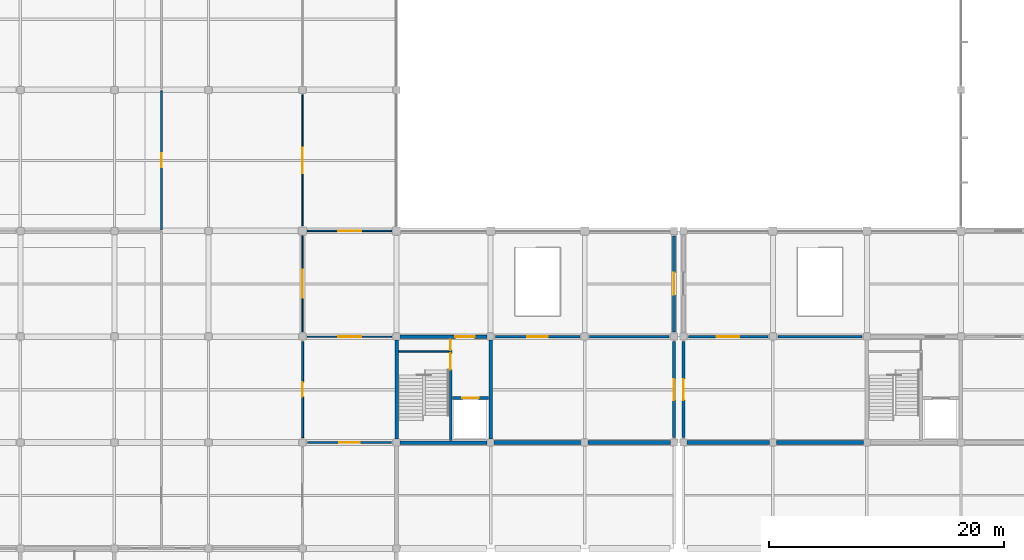
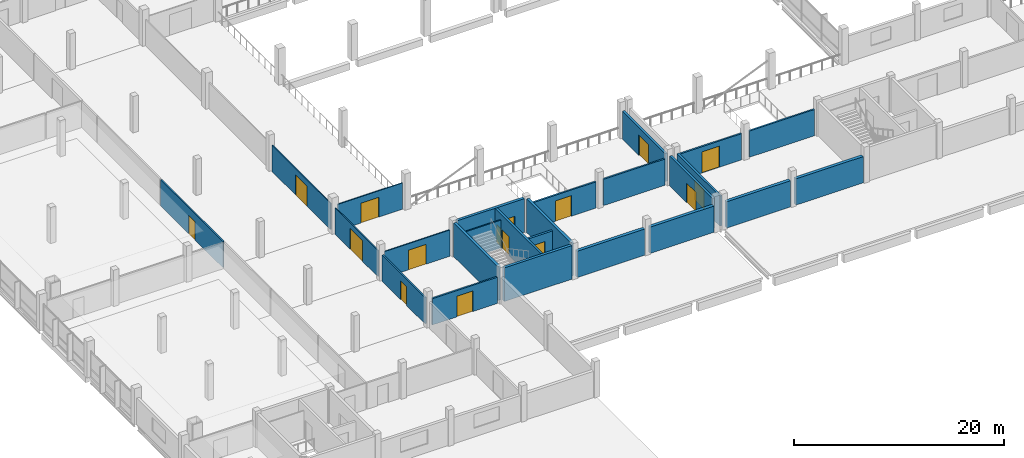
# One storey, part 41 of 57: 25 walls, 16 doors, 16 openings.
"""IFC4 building model written with IfcOpenShell, lengths in metres."""

from ifc_helpers import new_model, si_unit, direction, frame, frame_2d, origin, place, context, subcontext, project, spatial, rectangle, extrude, material, layer, layer_set, type_object, element, fill, save


model = new_model("IFC4")

# Units and contexts
model_context = context("Model", 3, precision=1e-05, world=origin(), true_north=direction((0.0, 1.0)))
body_context = subcontext(model_context, "Body", "Model", "MODEL_VIEW")
ifc_project = project(units=[si_unit("LENGTHUNIT", "METRE"), si_unit("AREAUNIT", "SQUARE_METRE"), si_unit("VOLUMEUNIT", "CUBIC_METRE"), si_unit("PLANEANGLEUNIT", "RADIAN"), si_unit("MASSUNIT", "GRAM", prefix="KILO"), si_unit("THERMODYNAMICTEMPERATUREUNIT", "KELVIN"), si_unit("POWERUNIT", "WATT")], contexts=[model_context])

# Site, building, storey
site_placement = place(None, origin())
site = spatial("IfcSite", under=ifc_project, at=site_placement, CompositionType="ELEMENT")
building_placement = place(site_placement, origin())
building = spatial("IfcBuilding", under=site, at=building_placement, Name="Kronsvod Quay Wholesale Market", CompositionType="ELEMENT")
storey_placement = place(building_placement, frame((0.0, 0.0, 4.800048828125)))
storey = spatial("IfcBuildingStorey", under=building, at=storey_placement, Name="L01", CompositionType="ELEMENT", Elevation=4.800048828125)

# Wall
ifc_material_1 = material(Name="Concrete C35/45", Category="concrete")
ifc_layer_1 = layer(ifc_material_1, 0.300048828125)
ifc_layer_set_1 = layer_set([ifc_layer_1], Name="Concrete C35/45")
wall_type_1 = type_object("IfcWallType", Name="Wall_CoreShear300", PredefinedType="SHEAR", material=ifc_layer_set_1)
wall_1_placement = place(storey_placement, frame((40.294921875, 36.0, 0.0), z_axis=(0.0, 0.0, 1.0), x_axis=(1.0, 0.0, 0.0)))
element("IfcWall", 1, at=wall_1_placement, inside=storey, type_object=wall_type_1, Name="CW-C03-L01-S", PredefinedType="SHEAR", context=body_context, shape_type="SweptSolid", body=[
    extrude(rectangle(XDim=7.41015625, YDim=0.300048828125, at=frame_2d((3.705078125, 0.0))), origin(), (0.0, 0.0, 1.0), 3.905029296875),
])

# Wall, opening, door
wall_2_placement = place(storey_placement, frame((40.294921875, 45.0, 0.0), z_axis=(0.0, 0.0, 1.0), x_axis=(1.0, 0.0, 0.0)))
wall_2 = element("IfcWall", 2, at=wall_2_placement, inside=storey, type_object=wall_type_1, Name="CW-C03-L01-N", PredefinedType="SHEAR", context=body_context, shape_type="SweptSolid", body=[
    extrude(rectangle(XDim=7.41015625, YDim=0.300048828125, at=frame_2d((3.705078125, 0.0))), origin(), (0.0, 0.0, 1.0), 3.905029296875),
])
opening_1_placement = place(wall_2_placement, frame((4.699951171875, 0.0, 0.0)))
opening_1 = element("IfcOpeningElement", 3, at=opening_1_placement, cuts=wall_2, Name="Opening D-0027", PredefinedType="OPENING", context=body_context, shape_type="SweptSolid", body=[
    extrude(rectangle(XDim=1.64990234375, YDim=2.219970703125, at=frame_2d((0.824951171875, 1.10986328125))), frame((0.0, 0.16015625, 0.0), z_axis=(0.0, -1.0, 0.0), x_axis=(1.0, 0.0, 0.0)), (0.0, 0.0, 1.0), 0.320068359375),
])
ifc_material_2 = material(Name="Painted galvanized fire steel", Category="steel")
door_type_1 = type_object("IfcDoorType", Name="Door_FireLobby165x222", OperationType="DOUBLE_DOOR_SINGLE_SWING", PredefinedType="DOOR", material=ifc_material_2)
door_1_placement = place(opening_1_placement, origin())
door_1 = element("IfcDoor", 4, at=door_1_placement, inside=storey, type_object=door_type_1, Name="Core Lobby Door D-0027", OperationType="DOUBLE_DOOR_SINGLE_SWING", OverallHeight=2.219970703125, OverallWidth=1.64990234375, PredefinedType="DOOR", context=body_context, shape_type="SweptSolid", body=[
    extrude(rectangle(XDim=1.64990234375, YDim=2.219970703125, at=frame_2d((0.824951171875, 1.10986328125))), frame((0.0, 0.02490234375, 0.0), z_axis=(0.0, -1.0, 0.0), x_axis=(1.0, 0.0, 0.0)), (0.0, 0.0, 1.0), 0.050048828125),
])
fill(opening_1, door_1)

# Walls
for number, where, z_axis, x_axis, name in (
    (5, (40.0, 36.294921875, 0.0), (0.0, 0.0, 1.0), (0.0, 1.0, 0.0), "CW-C03-L01-W"),
    (6, (48.0, 36.294921875, 0.0), (0.0, 0.0, 1.0), (0.0, 1.0, 0.0), "CW-C03-L01-E"),
):
    element("IfcWall", number, at=place(storey_placement, frame(where, z_axis=z_axis, x_axis=x_axis)), inside=storey, type_object=wall_type_1, Name=name, PredefinedType="SHEAR", context=body_context, shape_type="SweptSolid", body=[
        extrude(rectangle(XDim=8.41015625, YDim=0.300048828125, at=frame_2d((4.205078125, 0.0))), origin(), (0.0, 0.0, 1.0), 3.905029296875),
    ])
ifc_material_3 = material(Name="Precast concrete C40/50", Category="concrete")
ifc_layer_2 = layer(ifc_material_3, 0.340087890625)
ifc_layer_set_2 = layer_set([ifc_layer_2], Name="Precast concrete C40/50")
wall_type_2 = type_object("IfcWallType", Name="Wall_ExtColdSandwich340", PredefinedType="SOLIDWALL", material=ifc_layer_set_2)
wall_3_placement = place(storey_placement, frame((48.294921875, 36.0, 0.0), z_axis=(0.0, 0.0, 1.0), x_axis=(1.0, 0.0, 0.0)))
element("IfcWall", 7, at=wall_3_placement, inside=storey, type_object=wall_type_2, Name="EW-X-L01-0103", PredefinedType="SOLIDWALL", context=body_context, shape_type="SweptSolid", body=[
    extrude(rectangle(XDim=7.41015625, YDim=0.340087890625, at=frame_2d((3.705078125, 0.0))), origin(), (0.0, 0.0, 1.0), 3.050048828125),
])
for number, where, z_axis, x_axis, name in (
    (8, (56.294921875, 36.0, 0.0), (0.0, 0.0, 1.0), (1.0, 0.0, 0.0), "EW-X-L01-0104"),
    (9, (64.695068359375, 36.0, 0.0), (0.0, 0.0, 1.0), (1.0, 0.0, 0.0), "EW-X-L01-0116"),
):
    element("IfcWall", number, at=place(storey_placement, frame(where, z_axis=z_axis, x_axis=x_axis)), inside=storey, type_object=wall_type_2, Name=name, PredefinedType="SOLIDWALL", context=body_context, shape_type="SweptSolid", body=[
        extrude(rectangle(XDim=7.010009765625, YDim=0.340087890625, at=frame_2d((3.5048828125, 0.0))), origin(), (0.0, 0.0, 1.0), 3.050048828125),
    ])
wall_4_placement = place(storey_placement, frame((72.294921875, 36.0, 0.0), z_axis=(0.0, 0.0, 1.0), x_axis=(1.0, 0.0, 0.0)))
element("IfcWall", 10, at=wall_4_placement, inside=storey, type_object=wall_type_2, Name="EW-X-L01-0117", PredefinedType="SOLIDWALL", context=body_context, shape_type="SweptSolid", body=[
    extrude(rectangle(XDim=7.41015625, YDim=0.340087890625, at=frame_2d((3.705078125, 0.0))), origin(), (0.0, 0.0, 1.0), 3.050048828125),
])

# Wall, opening, door
ifc_material_4 = material(Name="Precast concrete C40/50", Category="concrete")
ifc_layer_3 = layer(ifc_material_4, 0.239990234375)
ifc_layer_set_3 = layer_set([ifc_layer_3], Name="Precast concrete C40/50")
wall_type_3 = type_object("IfcWallType", Name="Wall_ExtSpandrel240", PredefinedType="SOLIDWALL", material=ifc_layer_set_3)
wall_5_placement = place(storey_placement, frame((63.60009765625, 36.419921875, 0.0), z_axis=(0.0, 0.0, 1.0), x_axis=(0.0, 1.0, 0.0)))
wall_5 = element("IfcWall", 11, at=wall_5_placement, inside=storey, type_object=wall_type_3, Name="MJWG-L01-636-360", PredefinedType="SOLIDWALL", context=body_context, shape_type="SweptSolid", body=[
    extrude(rectangle(XDim=8.16015625, YDim=0.239990234375, at=frame_2d((4.080078125, 0.0))), origin(), (0.0, 0.0, 1.0), 3.489990234375),
])
opening_2_placement = place(wall_5_placement, frame((3.179931640625, 0.0, 0.0)))
opening_2 = element("IfcOpeningElement", 12, at=opening_2_placement, cuts=wall_5, Name="Opening D-0350", PredefinedType="OPENING", context=body_context, shape_type="SweptSolid", body=[
    extrude(rectangle(XDim=1.800048828125, YDim=2.300048828125, at=frame_2d((0.89990234375, 1.14990234375))), frame((0.0, 0.1298828125, 0.0), z_axis=(0.0, -1.0, 0.0), x_axis=(1.0, 0.0, 0.0)), (0.0, 0.0, 1.0), 0.260009765625),
])
ifc_material_5 = material(Name="Painted galvanized fire steel", Category="steel")
door_type_2 = type_object("IfcDoorType", Name="Door_FireComp180x230", OperationType="DOUBLE_DOOR_SINGLE_SWING", PredefinedType="DOOR", material=ifc_material_5)
door_2_placement = place(opening_2_placement, origin())
door_2 = element("IfcDoor", 13, at=door_2_placement, inside=storey, type_object=door_type_2, Name="Fire Compartment Door D-0350", OperationType="DOUBLE_DOOR_SINGLE_SWING", OverallHeight=2.300048828125, OverallWidth=1.800048828125, PredefinedType="DOOR", context=body_context, shape_type="SweptSolid", body=[
    extrude(rectangle(XDim=1.800048828125, YDim=2.300048828125, at=frame_2d((0.89990234375, 1.14990234375))), frame((0.0, 0.02490234375, 0.0), z_axis=(0.0, -1.0, 0.0), x_axis=(1.0, 0.0, 0.0)), (0.0, 0.0, 1.0), 0.050048828125),
])
fill(opening_2, door_2)

wall_6_placement = place(storey_placement, frame((63.60009765625, 45.419921875, 0.0), z_axis=(0.0, 0.0, 1.0), x_axis=(0.0, 1.0, 0.0)))
wall_6 = element("IfcWall", 14, at=wall_6_placement, inside=storey, type_object=wall_type_3, Name="MJWG-L01-636-450", PredefinedType="SOLIDWALL", context=body_context, shape_type="SweptSolid", body=[
    extrude(rectangle(XDim=8.16015625, YDim=0.239990234375, at=frame_2d((4.080078125, 0.0))), origin(), (0.0, 0.0, 1.0), 3.239990234375),
])
opening_3_placement = place(wall_6_placement, frame((3.1298828125, 0.0, 0.0)))
opening_3 = element("IfcOpeningElement", 15, at=opening_3_placement, cuts=wall_6, Name="Opening D-0351", PredefinedType="OPENING", context=body_context, shape_type="SweptSolid", body=[
    extrude(rectangle(XDim=1.89990234375, YDim=2.35009765625, at=frame_2d((0.949951171875, 1.175048828125))), frame((0.0, 0.1298828125, 0.0), z_axis=(0.0, -1.0, 0.0), x_axis=(1.0, 0.0, 0.0)), (0.0, 0.0, 1.0), 0.260009765625),
])
ifc_material_6 = material(Name="Painted galvanized fire steel", Category="steel")
door_type_3 = type_object("IfcDoorType", Name="Door_FireComp190x235", OperationType="DOUBLE_DOOR_SINGLE_SWING", PredefinedType="DOOR", material=ifc_material_6)
door_3_placement = place(opening_3_placement, origin())
door_3 = element("IfcDoor", 16, at=door_3_placement, inside=storey, type_object=door_type_3, Name="Fire Compartment Door D-0351", OperationType="DOUBLE_DOOR_SINGLE_SWING", OverallHeight=2.35009765625, OverallWidth=1.89990234375, PredefinedType="DOOR", context=body_context, shape_type="SweptSolid", body=[
    extrude(rectangle(XDim=1.89990234375, YDim=2.35009765625, at=frame_2d((0.949951171875, 1.175048828125))), frame((0.0, 0.02490234375, 0.0), z_axis=(0.0, -1.0, 0.0), x_axis=(1.0, 0.0, 0.0)), (0.0, 0.0, 1.0), 0.050048828125),
])
fill(opening_3, door_3)

wall_7_placement = place(storey_placement, frame((64.39990234375, 36.419921875, 0.0), z_axis=(0.0, 0.0, 1.0), x_axis=(0.0, 1.0, 0.0)))
wall_7 = element("IfcWall", 17, at=wall_7_placement, inside=storey, type_object=wall_type_3, Name="MJWG-L01-644-360", PredefinedType="SOLIDWALL", context=body_context, shape_type="SweptSolid", body=[
    extrude(rectangle(XDim=8.16015625, YDim=0.239990234375, at=frame_2d((4.080078125, 0.0))), origin(), (0.0, 0.0, 1.0), 3.489990234375),
])
opening_4_placement = place(wall_7_placement, frame((3.179931640625, 0.0, 0.0)))
opening_4 = element("IfcOpeningElement", 18, at=opening_4_placement, cuts=wall_7, Name="Opening D-0356", PredefinedType="OPENING", context=body_context, shape_type="SweptSolid", body=[
    extrude(rectangle(XDim=1.800048828125, YDim=2.300048828125, at=frame_2d((0.89990234375, 1.14990234375))), frame((0.0, 0.1298828125, 0.0), z_axis=(0.0, -1.0, 0.0), x_axis=(1.0, 0.0, 0.0)), (0.0, 0.0, 1.0), 0.260009765625),
])
door_4_placement = place(opening_4_placement, origin())
door_4 = element("IfcDoor", 19, at=door_4_placement, inside=storey, type_object=door_type_2, Name="Fire Compartment Door D-0356", OperationType="DOUBLE_DOOR_SINGLE_SWING", OverallHeight=2.300048828125, OverallWidth=1.800048828125, PredefinedType="DOOR", context=body_context, shape_type="SweptSolid", body=[
    extrude(rectangle(XDim=1.800048828125, YDim=2.300048828125, at=frame_2d((0.89990234375, 1.14990234375))), frame((0.0, 0.02490234375, 0.0), z_axis=(0.0, -1.0, 0.0), x_axis=(1.0, 0.0, 0.0)), (0.0, 0.0, 1.0), 0.050048828125),
])
fill(opening_4, door_4)

ifc_material_7 = material(Name="Double-layer fire gypsum partition", Category="gypsum")
ifc_layer_4 = layer(ifc_material_7, 0.16796875)
ifc_layer_set_4 = layer_set([ifc_layer_4], Name="Double-layer fire gypsum partition")
wall_type_4 = type_object("IfcWallType", Name="Wall_PartCorridor168", PredefinedType="PARTITIONING", material=ifc_layer_set_4)
wall_8_placement = place(storey_placement, frame((32.0, 36.419921875, 0.0), z_axis=(0.0, 0.0, 1.0), x_axis=(0.0, 1.0, 0.0)))
wall_8 = element("IfcWall", 20, at=wall_8_placement, inside=storey, type_object=wall_type_4, Name="PW-L01-0025", PredefinedType="PARTITIONING", context=body_context, shape_type="SweptSolid", body=[
    extrude(rectangle(XDim=8.16015625, YDim=0.16796875, at=frame_2d((4.080078125, 0.0))), origin(), (0.0, 0.0, 1.0), 3.050048828125),
])
opening_5_placement = place(wall_8_placement, frame((3.469970703125, 0.0, 0.0)))
opening_5 = element("IfcOpeningElement", 21, at=opening_5_placement, cuts=wall_8, Name="Opening D-0225", PredefinedType="OPENING", context=body_context, shape_type="SweptSolid", body=[
    extrude(rectangle(XDim=1.219970703125, YDim=2.179931640625, at=frame_2d((0.60986328125, 1.08984375))), frame((0.0, 0.093994140625, 0.0), z_axis=(0.0, -1.0, 0.0), x_axis=(1.0, 0.0, 0.0)), (0.0, 0.0, 1.0), 0.18798828125),
])
ifc_material_8 = material(Name="Solid-core timber office door", Category="wood")
door_type_4 = type_object("IfcDoorType", Name="Door_Office122x218", OperationType="NOTDEFINED", PredefinedType="DOOR", material=ifc_material_8)
door_5_placement = place(opening_5_placement, origin())
door_5 = element("IfcDoor", 22, at=door_5_placement, inside=storey, type_object=door_type_4, Name="Interior Door D-0225", OperationType="SINGLE_SWING_LEFT", OverallHeight=2.179931640625, OverallWidth=1.219970703125, PredefinedType="DOOR", context=body_context, shape_type="SweptSolid", body=[
    extrude(rectangle(XDim=1.219970703125, YDim=2.179931640625, at=frame_2d((0.60986328125, 1.08984375))), frame((0.0, 0.02490234375, 0.0), z_axis=(0.0, -1.0, 0.0), x_axis=(1.0, 0.0, 0.0)), (0.0, 0.0, 1.0), 0.050048828125),
])
fill(opening_5, door_5)

ifc_material_9 = material(Name="Double-glazed gallery screen partition", Category="glass")
ifc_layer_5 = layer(ifc_material_9, 0.10791015625)
ifc_layer_set_5 = layer_set([ifc_layer_5], Name="Double-glazed gallery screen partition")
wall_type_5 = type_object("IfcWallType", Name="Wall_PartGlazed108", PredefinedType="PARTITIONING", material=ifc_layer_set_5)
wall_9_placement = place(storey_placement, frame((32.0, 54.419921875, 0.0), z_axis=(0.0, 0.0, 1.0), x_axis=(0.0, 1.0, 0.0)))
wall_9 = element("IfcWall", 23, at=wall_9_placement, inside=storey, type_object=wall_type_5, Name="PW-L01-0027", PredefinedType="PARTITIONING", context=body_context, shape_type="SweptSolid", body=[
    extrude(rectangle(XDim=11.16015625, YDim=0.10791015625, at=frame_2d((5.580078125, 0.0))), origin(), (0.0, 0.0, 1.0), 3.050048828125),
])
opening_6_placement = place(wall_9_placement, frame((4.5048828125, 0.0, 0.0)))
opening_6 = element("IfcOpeningElement", 24, at=opening_6_placement, cuts=wall_9, Name="Opening D-0227", PredefinedType="OPENING", context=body_context, shape_type="SweptSolid", body=[
    extrude(rectangle(XDim=2.14990234375, YDim=2.35009765625, at=frame_2d((1.074951171875, 1.175048828125))), frame((0.0, 0.06396484375, 0.0), z_axis=(0.0, -1.0, 0.0), x_axis=(1.0, 0.0, 0.0)), (0.0, 0.0, 1.0), 0.1279296875),
])
ifc_material_10 = material(Name="Glazed aluminium hall portal", Category="aluminium")
door_type_5 = type_object("IfcDoorType", Name="Door_HallPortal215x235", OperationType="DOUBLE_DOOR_SINGLE_SWING", PredefinedType="DOOR", material=ifc_material_10)
door_6_placement = place(opening_6_placement, origin())
door_6 = element("IfcDoor", 25, at=door_6_placement, inside=storey, type_object=door_type_5, Name="Interior Door D-0227", OperationType="DOUBLE_DOOR_SINGLE_SWING", OverallHeight=2.35009765625, OverallWidth=2.14990234375, PredefinedType="DOOR", context=body_context, shape_type="SweptSolid", body=[
    extrude(rectangle(XDim=2.14990234375, YDim=2.35009765625, at=frame_2d((1.074951171875, 1.175048828125))), frame((0.0, 0.02490234375, 0.0), z_axis=(0.0, -1.0, 0.0), x_axis=(1.0, 0.0, 0.0)), (0.0, 0.0, 1.0), 0.050048828125),
])
fill(opening_6, door_6)

ifc_material_11 = material(Name="Framed acoustic glass hall partition", Category="glass")
ifc_layer_6 = layer(ifc_material_11, 0.114990234375)
ifc_layer_set_6 = layer_set([ifc_layer_6], Name="Framed acoustic glass hall partition")
wall_type_6 = type_object("IfcWallType", Name="Wall_PartGlazed115", PredefinedType="PARTITIONING", material=ifc_layer_set_6)
wall_10_placement = place(storey_placement, frame((32.0, 45.419921875, 0.0), z_axis=(0.0, 0.0, 1.0), x_axis=(0.0, 1.0, 0.0)))
wall_10 = element("IfcWall", 26, at=wall_10_placement, inside=storey, type_object=wall_type_6, Name="PW-L01-0026", PredefinedType="PARTITIONING", context=body_context, shape_type="SweptSolid", body=[
    extrude(rectangle(XDim=8.16015625, YDim=0.114990234375, at=frame_2d((4.080078125, 0.0))), origin(), (0.0, 0.0, 1.0), 3.050048828125),
])
opening_7_placement = place(wall_10_placement, frame((2.8798828125, 0.0, 0.0)))
opening_7 = element("IfcOpeningElement", 27, at=opening_7_placement, cuts=wall_10, Name="Opening D-0226", PredefinedType="OPENING", context=body_context, shape_type="SweptSolid", body=[
    extrude(rectangle(XDim=2.39990234375, YDim=2.39990234375, at=frame_2d((1.199951171875, 1.199951171875))), frame((0.0, 0.0673828125, 0.0), z_axis=(0.0, -1.0, 0.0), x_axis=(1.0, 0.0, 0.0)), (0.0, 0.0, 1.0), 0.135009765625),
])
ifc_material_12 = material(Name="Glazed aluminium hall portal", Category="aluminium")
door_type_6 = type_object("IfcDoorType", Name="Door_HallPortal240x240", OperationType="DOUBLE_DOOR_SINGLE_SWING", PredefinedType="DOOR", material=ifc_material_12)
door_7_placement = place(opening_7_placement, origin())
door_7 = element("IfcDoor", 28, at=door_7_placement, inside=storey, type_object=door_type_6, Name="Interior Door D-0226", OperationType="DOUBLE_DOOR_SINGLE_SWING", OverallHeight=2.39990234375, OverallWidth=2.39990234375, PredefinedType="DOOR", context=body_context, shape_type="SweptSolid", body=[
    extrude(rectangle(XDim=2.39990234375, YDim=2.39990234375, at=frame_2d((1.199951171875, 1.199951171875))), frame((0.0, 0.02490234375, 0.0), z_axis=(0.0, -1.0, 0.0), x_axis=(1.0, 0.0, 0.0)), (0.0, 0.0, 1.0), 0.050048828125),
])
fill(opening_7, door_7)

wall_11_placement = place(storey_placement, frame((32.419921875, 45.0, 0.0), z_axis=(0.0, 0.0, 1.0), x_axis=(1.0, 0.0, 0.0)))
wall_11 = element("IfcWall", 29, at=wall_11_placement, inside=storey, type_object=wall_type_6, Name="PW-L01-0034", PredefinedType="PARTITIONING", context=body_context, shape_type="SweptSolid", body=[
    extrude(rectangle(XDim=7.16015625, YDim=0.114990234375, at=frame_2d((3.580078125, 0.0))), origin(), (0.0, 0.0, 1.0), 3.050048828125),
])
opening_8_placement = place(wall_11_placement, frame((2.60498046875, 0.0, 0.0)))
opening_8 = element("IfcOpeningElement", 30, at=opening_8_placement, cuts=wall_11, Name="Opening D-0231", PredefinedType="OPENING", context=body_context, shape_type="SweptSolid", body=[
    extrude(rectangle(XDim=1.949951171875, YDim=2.300048828125, at=frame_2d((0.97509765625, 1.14990234375))), frame((0.0, 0.0673828125, 0.0), z_axis=(0.0, -1.0, 0.0), x_axis=(1.0, 0.0, 0.0)), (0.0, 0.0, 1.0), 0.135009765625),
])
ifc_material_13 = material(Name="Glazed aluminium hall portal", Category="aluminium")
door_type_7 = type_object("IfcDoorType", Name="Door_HallPortal195x230", OperationType="DOUBLE_DOOR_SINGLE_SWING", PredefinedType="DOOR", material=ifc_material_13)
door_8_placement = place(opening_8_placement, origin())
door_8 = element("IfcDoor", 31, at=door_8_placement, inside=storey, type_object=door_type_7, Name="Interior Door D-0231", OperationType="DOUBLE_DOOR_SINGLE_SWING", OverallHeight=2.300048828125, OverallWidth=1.949951171875, PredefinedType="DOOR", context=body_context, shape_type="SweptSolid", body=[
    extrude(rectangle(XDim=1.949951171875, YDim=2.300048828125, at=frame_2d((0.97509765625, 1.14990234375))), frame((0.0, 0.02490234375, 0.0), z_axis=(0.0, -1.0, 0.0), x_axis=(1.0, 0.0, 0.0)), (0.0, 0.0, 1.0), 0.050048828125),
])
fill(opening_8, door_8)

wall_12_placement = place(storey_placement, frame((32.419921875, 54.0, 0.0), z_axis=(0.0, 0.0, 1.0), x_axis=(1.0, 0.0, 0.0)))
wall_12 = element("IfcWall", 32, at=wall_12_placement, inside=storey, type_object=wall_type_6, Name="PW-L01-0058", PredefinedType="PARTITIONING", context=body_context, shape_type="SweptSolid", body=[
    extrude(rectangle(XDim=7.16015625, YDim=0.114990234375, at=frame_2d((3.580078125, 0.0))), origin(), (0.0, 0.0, 1.0), 3.050048828125),
])
opening_9_placement = place(wall_12_placement, frame((2.60498046875, 0.0, 0.0)))
opening_9 = element("IfcOpeningElement", 33, at=opening_9_placement, cuts=wall_12, Name="Opening D-0243", PredefinedType="OPENING", context=body_context, shape_type="SweptSolid", body=[
    extrude(rectangle(XDim=1.949951171875, YDim=2.300048828125, at=frame_2d((0.97509765625, 1.14990234375))), frame((0.0, 0.0673828125, 0.0), z_axis=(0.0, -1.0, 0.0), x_axis=(1.0, 0.0, 0.0)), (0.0, 0.0, 1.0), 0.135009765625),
])
door_9_placement = place(opening_9_placement, origin())
door_9 = element("IfcDoor", 34, at=door_9_placement, inside=storey, type_object=door_type_7, Name="Interior Door D-0243", OperationType="DOUBLE_DOOR_SINGLE_SWING", OverallHeight=2.300048828125, OverallWidth=1.949951171875, PredefinedType="DOOR", context=body_context, shape_type="SweptSolid", body=[
    extrude(rectangle(XDim=1.949951171875, YDim=2.300048828125, at=frame_2d((0.97509765625, 1.14990234375))), frame((0.0, 0.02490234375, 0.0), z_axis=(0.0, -1.0, 0.0), x_axis=(1.0, 0.0, 0.0)), (0.0, 0.0, 1.0), 0.050048828125),
])
fill(opening_9, door_9)

ifc_material_14 = material(Name="Hygienic washable laboratory partition")
ifc_layer_7 = layer(ifc_material_14, 0.14990234375)
ifc_layer_set_7 = layer_set([ifc_layer_7], Name="Hygienic washable laboratory partition")
wall_type_7 = type_object("IfcWallType", Name="Wall_PartLab150", PredefinedType="PARTITIONING", material=ifc_layer_set_7)
wall_13_placement = place(storey_placement, frame((20.0, 54.080078125, 0.0), z_axis=(0.0, 0.0, 1.0), x_axis=(0.0, 1.0, 0.0)))
wall_13 = element("IfcWall", 35, at=wall_13_placement, inside=storey, type_object=wall_type_7, Name="PW-L01-0015", PredefinedType="PARTITIONING", context=body_context, shape_type="SweptSolid", body=[
    extrude(rectangle(XDim=11.83984375, YDim=0.14990234375, at=frame_2d((5.919921875, 0.0))), origin(), (0.0, 0.0, 1.0), 3.050048828125),
])
opening_10_placement = place(wall_13_placement, frame((5.320068359375, 0.0, 0.0)))
opening_10 = element("IfcOpeningElement", 36, at=opening_10_placement, cuts=wall_13, Name="Opening D-0218", PredefinedType="OPENING", context=body_context, shape_type="SweptSolid", body=[
    extrude(rectangle(XDim=1.199951171875, YDim=2.14990234375, at=frame_2d((0.60009765625, 1.074951171875))), frame((0.0, 0.0849609375, 0.0), z_axis=(0.0, -1.0, 0.0), x_axis=(1.0, 0.0, 0.0)), (0.0, 0.0, 1.0), 0.169921875),
])
ifc_material_15 = material(Name="Hygienic phenolic laboratory door", Category="aluminium")
door_type_8 = type_object("IfcDoorType", Name="Door_Lab120x215", OperationType="NOTDEFINED", PredefinedType="DOOR", material=ifc_material_15)
door_10_placement = place(opening_10_placement, origin())
door_10 = element("IfcDoor", 37, at=door_10_placement, inside=storey, type_object=door_type_8, Name="Interior Door D-0218", OperationType="SINGLE_SWING_LEFT", OverallHeight=2.14990234375, OverallWidth=1.199951171875, PredefinedType="DOOR", context=body_context, shape_type="SweptSolid", body=[
    extrude(rectangle(XDim=1.199951171875, YDim=2.14990234375, at=frame_2d((0.60009765625, 1.074951171875))), frame((0.0, 0.02490234375, 0.0), z_axis=(0.0, -1.0, 0.0), x_axis=(1.0, 0.0, 0.0)), (0.0, 0.0, 1.0), 0.050048828125),
])
fill(opening_10, door_10)

# Wall
ifc_material_16 = material(Name="Fire-rated shaft riser block wall", Category="masonry")
ifc_layer_8 = layer(ifc_material_16, 0.1298828125)
ifc_layer_set_8 = layer_set([ifc_layer_8], Name="Fire-rated shaft riser block wall")
wall_type_8 = type_object("IfcWallType", Name="Wall_PartRiser130", PredefinedType="PARTITIONING", material=ifc_layer_set_8)
wall_14_placement = place(storey_placement, frame((40.179931640625, 43.75, 0.0), z_axis=(0.0, 0.0, 1.0), x_axis=(1.0, 0.0, 0.0)))
element("IfcWall", 38, at=wall_14_placement, inside=storey, type_object=wall_type_8, Name="CW-C03-L01-RSR", PredefinedType="PARTITIONING", context=body_context, shape_type="SweptSolid", body=[
    extrude(rectangle(XDim=4.280029296875, YDim=0.1298828125, at=frame_2d((2.14013671875, 0.0))), origin(), (0.0, 0.0, 1.0), 3.2548828125),
])

# Wall, opening, door
ifc_material_17 = material(Name="Gas-tight ethylene ripening panel")
ifc_layer_9 = layer(ifc_material_17, 0.18505859375)
ifc_layer_set_9 = layer_set([ifc_layer_9], Name="Gas-tight ethylene ripening panel")
wall_type_9 = type_object("IfcWallType", Name="Wall_RipeningGas185", PredefinedType="PARTITIONING", material=ifc_layer_set_9)
wall_15_placement = place(storey_placement, frame((32.419921875, 36.0, 0.0), z_axis=(0.0, 0.0, 1.0), x_axis=(1.0, 0.0, 0.0)))
wall_15 = element("IfcWall", 39, at=wall_15_placement, inside=storey, type_object=wall_type_9, Name="PW-L01-0033", PredefinedType="PARTITIONING", context=body_context, shape_type="SweptSolid", body=[
    extrude(rectangle(XDim=7.16015625, YDim=0.18505859375, at=frame_2d((3.580078125, 0.0))), origin(), (0.0, 0.0, 1.0), 3.050048828125),
])
opening_11_placement = place(wall_15_placement, frame((2.705078125, 0.0, 0.0)))
opening_11 = element("IfcOpeningElement", 40, at=opening_11_placement, cuts=wall_15, Name="Opening D-0230", PredefinedType="OPENING", context=body_context, shape_type="SweptSolid", body=[
    extrude(rectangle(XDim=1.75, YDim=2.39990234375, at=frame_2d((0.875, 1.199951171875))), frame((0.0, 0.1025390625, 0.0), z_axis=(0.0, -1.0, 0.0), x_axis=(1.0, 0.0, 0.0)), (0.0, 0.0, 1.0), 0.205078125),
])
ifc_material_18 = material(Name="Gas-tight aluminium ripening door", Category="aluminium")
door_type_9 = type_object("IfcDoorType", Name="Door_Ripening175x240", OperationType="DOUBLE_DOOR_SINGLE_SWING", PredefinedType="DOOR", material=ifc_material_18)
door_11_placement = place(opening_11_placement, origin())
door_11 = element("IfcDoor", 41, at=door_11_placement, inside=storey, type_object=door_type_9, Name="Interior Door D-0230", OperationType="DOUBLE_DOOR_SINGLE_SWING", OverallHeight=2.39990234375, OverallWidth=1.75, PredefinedType="DOOR", context=body_context, shape_type="SweptSolid", body=[
    extrude(rectangle(XDim=1.75, YDim=2.39990234375, at=frame_2d((0.875, 1.199951171875))), frame((0.0, 0.02490234375, 0.0), z_axis=(0.0, -1.0, 0.0), x_axis=(1.0, 0.0, 0.0)), (0.0, 0.0, 1.0), 0.050048828125),
])
fill(opening_11, door_11)

wall_16_placement = place(storey_placement, frame((48.419921875, 45.0, 0.0), z_axis=(0.0, 0.0, 1.0), x_axis=(1.0, 0.0, 0.0)))
wall_16 = element("IfcWall", 42, at=wall_16_placement, inside=storey, type_object=wall_type_9, Name="PW-L01-0035", PredefinedType="PARTITIONING", context=body_context, shape_type="SweptSolid", body=[
    extrude(rectangle(XDim=7.16015625, YDim=0.18505859375, at=frame_2d((3.580078125, 0.0))), origin(), (0.0, 0.0, 1.0), 3.050048828125),
])
opening_12_placement = place(wall_16_placement, frame((2.705078125, 0.0, 0.0)))
opening_12 = element("IfcOpeningElement", 43, at=opening_12_placement, cuts=wall_16, Name="Opening D-0232", PredefinedType="OPENING", context=body_context, shape_type="SweptSolid", body=[
    extrude(rectangle(XDim=1.75, YDim=2.39990234375, at=frame_2d((0.875, 1.199951171875))), frame((0.0, 0.1025390625, 0.0), z_axis=(0.0, -1.0, 0.0), x_axis=(1.0, 0.0, 0.0)), (0.0, 0.0, 1.0), 0.205078125),
])
door_12_placement = place(opening_12_placement, origin())
door_12 = element("IfcDoor", 44, at=door_12_placement, inside=storey, type_object=door_type_9, Name="Interior Door D-0232", OperationType="DOUBLE_DOOR_SINGLE_SWING", OverallHeight=2.39990234375, OverallWidth=1.75, PredefinedType="DOOR", context=body_context, shape_type="SweptSolid", body=[
    extrude(rectangle(XDim=1.75, YDim=2.39990234375, at=frame_2d((0.875, 1.199951171875))), frame((0.0, 0.02490234375, 0.0), z_axis=(0.0, -1.0, 0.0), x_axis=(1.0, 0.0, 0.0)), (0.0, 0.0, 1.0), 0.050048828125),
])
fill(opening_12, door_12)

# Wall
wall_17_placement = place(storey_placement, frame((56.419921875, 45.0, 0.0), z_axis=(0.0, 0.0, 1.0), x_axis=(1.0, 0.0, 0.0)))
element("IfcWall", 45, at=wall_17_placement, inside=storey, type_object=wall_type_9, Name="PW-L01-0036", PredefinedType="PARTITIONING", context=body_context, shape_type="SweptSolid", body=[
    extrude(rectangle(XDim=6.760009765625, YDim=0.18505859375, at=frame_2d((3.3798828125, 0.0))), origin(), (0.0, 0.0, 1.0), 3.050048828125),
])

# Wall, opening, door
wall_18_placement = place(storey_placement, frame((64.820068359375, 45.0, 0.0), z_axis=(0.0, 0.0, 1.0), x_axis=(1.0, 0.0, 0.0)))
wall_18 = element("IfcWall", 46, at=wall_18_placement, inside=storey, type_object=wall_type_9, Name="PW-L01-0037", PredefinedType="PARTITIONING", context=body_context, shape_type="SweptSolid", body=[
    extrude(rectangle(XDim=6.760009765625, YDim=0.18505859375, at=frame_2d((3.3798828125, 0.0))), origin(), (0.0, 0.0, 1.0), 3.050048828125),
])
opening_13_placement = place(wall_18_placement, frame((2.429931640625, 0.0, 0.0)))
opening_13 = element("IfcOpeningElement", 47, at=opening_13_placement, cuts=wall_18, Name="Opening D-0233", PredefinedType="OPENING", context=body_context, shape_type="SweptSolid", body=[
    extrude(rectangle(XDim=1.89990234375, YDim=2.449951171875, at=frame_2d((0.949951171875, 1.22509765625))), frame((0.0, 0.1025390625, 0.0), z_axis=(0.0, -1.0, 0.0), x_axis=(1.0, 0.0, 0.0)), (0.0, 0.0, 1.0), 0.205078125),
])
ifc_material_19 = material(Name="Gas-tight aluminium ripening door", Category="aluminium")
door_type_10 = type_object("IfcDoorType", Name="Door_Ripening190x245", OperationType="DOUBLE_DOOR_SINGLE_SWING", PredefinedType="DOOR", material=ifc_material_19)
door_13_placement = place(opening_13_placement, origin())
door_13 = element("IfcDoor", 48, at=door_13_placement, inside=storey, type_object=door_type_10, Name="Interior Door D-0233", OperationType="DOUBLE_DOOR_SINGLE_SWING", OverallHeight=2.449951171875, OverallWidth=1.89990234375, PredefinedType="DOOR", context=body_context, shape_type="SweptSolid", body=[
    extrude(rectangle(XDim=1.89990234375, YDim=2.449951171875, at=frame_2d((0.949951171875, 1.22509765625))), frame((0.0, 0.02490234375, 0.0), z_axis=(0.0, -1.0, 0.0), x_axis=(1.0, 0.0, 0.0)), (0.0, 0.0, 1.0), 0.050048828125),
])
fill(opening_13, door_13)

# Wall
wall_19_placement = place(storey_placement, frame((72.419921875, 45.0, 0.0), z_axis=(0.0, 0.0, 1.0), x_axis=(1.0, 0.0, 0.0)))
element("IfcWall", 49, at=wall_19_placement, inside=storey, type_object=wall_type_9, Name="PW-L01-0038", PredefinedType="PARTITIONING", context=body_context, shape_type="SweptSolid", body=[
    extrude(rectangle(XDim=7.16015625, YDim=0.18505859375, at=frame_2d((3.580078125, 0.0))), origin(), (0.0, 0.0, 1.0), 3.050048828125),
])

# Wall, openings, doors
ifc_material_20 = material(Name="Concrete C35/45", Category="concrete")
ifc_layer_10 = layer(ifc_material_20, 0.239990234375)
ifc_layer_set_10 = layer_set([ifc_layer_10], Name="Concrete C35/45")
wall_type_10 = type_object("IfcWallType", Name="Wall_ShaftWall240", PredefinedType="SHEAR", material=ifc_layer_set_10)
wall_20_placement = place(storey_placement, frame((44.60009765625, 36.179931640625, 0.0), z_axis=(0.0, 0.0, 1.0), x_axis=(0.0, 1.0, 0.0)))
wall_20 = element("IfcWall", 50, at=wall_20_placement, inside=storey, type_object=wall_type_10, Name="CW-C03-L01-DIV", PredefinedType="SHEAR", context=body_context, shape_type="SweptSolid", body=[
    extrude(rectangle(XDim=8.64013671875, YDim=0.239990234375, at=frame_2d((4.320068359375, 0.0))), origin(), (0.0, 0.0, 1.0), 3.905029296875),
])
opening_14_placement = place(wall_20_placement, frame((6.02001953125, 0.0, 0.0)))
opening_14 = element("IfcOpeningElement", 51, at=opening_14_placement, cuts=wall_20, Name="Opening D-0025", PredefinedType="OPENING", context=body_context, shape_type="SweptSolid", body=[
    extrude(rectangle(XDim=1.3798828125, YDim=2.219970703125, at=frame_2d((0.68994140625, 1.10986328125))), frame((0.0, 0.1298828125, 0.0), z_axis=(0.0, -1.0, 0.0), x_axis=(1.0, 0.0, 0.0)), (0.0, 0.0, 1.0), 0.260009765625),
])
opening_15_placement = place(wall_20_placement, frame((7.679931640625, 0.0, 0.0)))
opening_15 = element("IfcOpeningElement", 52, at=opening_15_placement, cuts=wall_20, Name="Opening D-0026", PredefinedType="OPENING", context=body_context, shape_type="SweptSolid", body=[
    extrude(rectangle(XDim=0.89990234375, YDim=2.050048828125, at=frame_2d((0.449951171875, 1.02490234375))), frame((0.0, 0.1298828125, 0.0), z_axis=(0.0, -1.0, 0.0), x_axis=(1.0, 0.0, 0.0)), (0.0, 0.0, 1.0), 0.260009765625),
])
ifc_material_21 = material(Name="Painted galvanized fire steel", Category="steel")
door_type_11 = type_object("IfcDoorType", Name="Door_FireStair138x222", OperationType="NOTDEFINED", PredefinedType="DOOR", material=ifc_material_21)
door_14_placement = place(opening_14_placement, origin())
door_14 = element("IfcDoor", 53, at=door_14_placement, inside=storey, type_object=door_type_11, Name="Stair Fire Door D-0025", OperationType="SINGLE_SWING_LEFT", OverallHeight=2.219970703125, OverallWidth=1.3798828125, PredefinedType="DOOR", context=body_context, shape_type="SweptSolid", body=[
    extrude(rectangle(XDim=1.3798828125, YDim=2.219970703125, at=frame_2d((0.68994140625, 1.10986328125))), frame((0.0, 0.02490234375, 0.0), z_axis=(0.0, -1.0, 0.0), x_axis=(1.0, 0.0, 0.0)), (0.0, 0.0, 1.0), 0.050048828125),
])
fill(opening_14, door_14)
ifc_material_22 = material(Name="Fire-rated steel riser access door", Category="steel")
door_type_12 = type_object("IfcDoorType", Name="Door_Riser90x205", OperationType="NOTDEFINED", PredefinedType="DOOR", material=ifc_material_22)
door_15_placement = place(opening_15_placement, origin())
door_15 = element("IfcDoor", 54, at=door_15_placement, inside=storey, type_object=door_type_12, Name="Service Riser Door D-0026", OperationType="SINGLE_SWING_RIGHT", OverallHeight=2.050048828125, OverallWidth=0.89990234375, PredefinedType="DOOR", context=body_context, shape_type="SweptSolid", body=[
    extrude(rectangle(XDim=0.89990234375, YDim=2.050048828125, at=frame_2d((0.449951171875, 1.02490234375))), frame((0.0, 0.02490234375, 0.0), z_axis=(0.0, -1.0, 0.0), x_axis=(1.0, 0.0, 0.0)), (0.0, 0.0, 1.0), 0.050048828125),
])
fill(opening_15, door_15)

# Wall, opening, door
wall_21_placement = place(storey_placement, frame((44.75, 39.800048828125, 0.0), z_axis=(0.0, 0.0, 1.0), x_axis=(1.0, 0.0, 0.0)))
wall_21 = element("IfcWall", 55, at=wall_21_placement, inside=storey, type_object=wall_type_10, Name="CW-C03-L01-LSH", PredefinedType="SHEAR", context=body_context, shape_type="SweptSolid", body=[
    extrude(rectangle(XDim=3.070068359375, YDim=0.239990234375, at=frame_2d((1.53515625, 0.0))), origin(), (0.0, 0.0, 1.0), 3.2548828125),
])
opening_16_placement = place(wall_21_placement, frame((0.8349609375, 0.0, 0.0)))
opening_16 = element("IfcOpeningElement", 56, at=opening_16_placement, cuts=wall_21, Name="Opening D-0028", PredefinedType="OPENING", context=body_context, shape_type="SweptSolid", body=[
    extrude(rectangle(XDim=1.39990234375, YDim=2.300048828125, at=frame_2d((0.699951171875, 1.14990234375))), frame((0.0, 0.1298828125, 0.0), z_axis=(0.0, -1.0, 0.0), x_axis=(1.0, 0.0, 0.0)), (0.0, 0.0, 1.0), 0.260009765625),
])
ifc_material_23 = material(Name="Brushed stainless steel", Category="steel")
door_type_13 = type_object("IfcDoorType", Name="Door_LiftLandingGoods", OperationType="SLIDING_TO_LEFT", PredefinedType="DOOR", material=ifc_material_23)
door_16_placement = place(opening_16_placement, origin())
door_16 = element("IfcDoor", 57, at=door_16_placement, inside=storey, type_object=door_type_13, Name="Lift Landing Door LFT-G02 L01", OperationType="SLIDING_TO_LEFT", OverallHeight=2.300048828125, OverallWidth=1.39990234375, PredefinedType="DOOR", context=body_context, shape_type="SweptSolid", body=[
    extrude(rectangle(XDim=1.39990234375, YDim=2.300048828125, at=frame_2d((0.699951171875, 1.14990234375))), frame((0.0, 0.02490234375, 0.0), z_axis=(0.0, -1.0, 0.0), x_axis=(1.0, 0.0, 0.0)), (0.0, 0.0, 1.0), 0.050048828125),
])
fill(opening_16, door_16)

save(model, "model.ifc")
